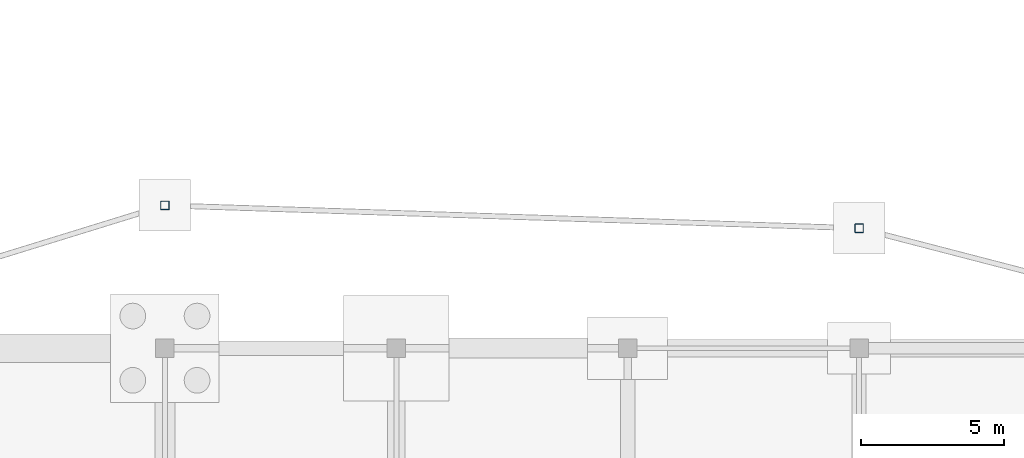
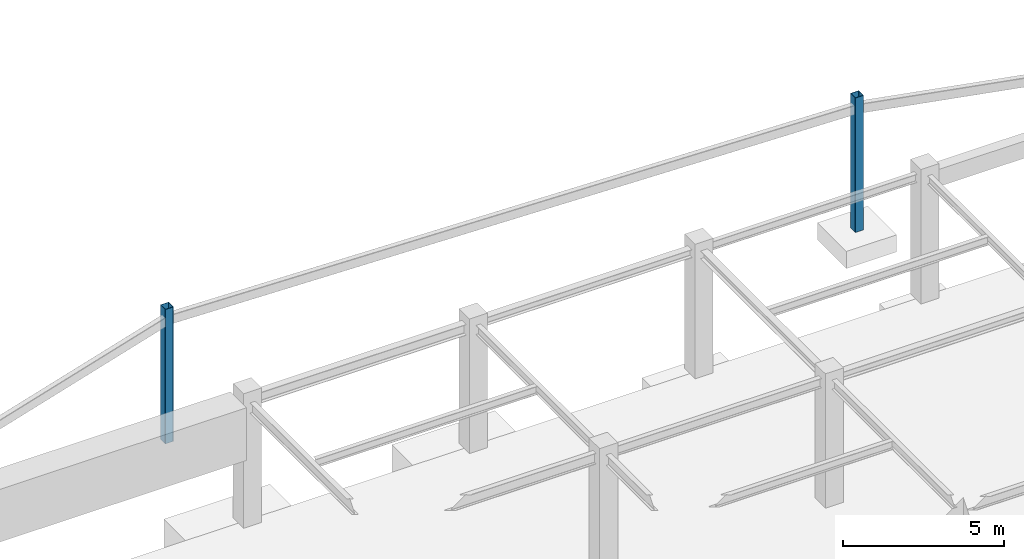
# One storey, part 22 of 67: 2 columns.
"""IFC4 building model written with IfcOpenShell, lengths in metres."""

from ifc_helpers import new_model, si_unit, direction, frame, origin, origin_2d, place, context, subcontext, project, spatial, hollow_rectangle, extrude, material, material_profile, profile_set, type_object, element, save


model = new_model("IFC4")

# Units and contexts
model_context = context("Model", 3, precision=1e-05, world=origin(), true_north=direction((0.0, 1.0)))
body_context = subcontext(model_context, "Body", "Model", "MODEL_VIEW")
ifc_project = project(units=[si_unit("LENGTHUNIT", "METRE"), si_unit("AREAUNIT", "SQUARE_METRE"), si_unit("VOLUMEUNIT", "CUBIC_METRE"), si_unit("PLANEANGLEUNIT", "RADIAN"), si_unit("MASSUNIT", "GRAM", prefix="KILO")], contexts=[model_context])

# Site, building, storey
site_placement = place(None, origin())
site = spatial("IfcSite", under=ifc_project, at=site_placement, CompositionType="ELEMENT")
building_placement = place(site_placement, origin())
building = spatial("IfcBuilding", under=site, at=building_placement, Name="Vaudrelin Polytechnic", CompositionType="ELEMENT")
storey_placement = place(building_placement, frame((0.0, 0.0, -5.10009765625)))
storey = spatial("IfcBuildingStorey", under=building, at=storey_placement, Name="B1", CompositionType="ELEMENT", Elevation=-5.10009765625)

# Columns
ifc_material = material(Name="Steel CSA G40.21 350WT", Category="steel")
ifc_material_profile = material_profile(ifc_material, hollow_rectangle(XDim=0.304931640625, YDim=0.304931640625, WallThickness=0.0126953125, InnerFilletRadius=0.0126953125, OuterFilletRadius=0.025390625, at=origin_2d()), Name="HSS305x305x12.7")
ifc_profile_set = profile_set([ifc_material_profile], Name="Steel CSA G40.21 350WT")
column_type = type_object("IfcColumnType", Name="COL-C-HSS305", PredefinedType="COLUMN", material=ifc_profile_set)
for number, where, z_axis, x_axis, name in (
    (1, (72.89990234375, 53.60009765625, 0.0), (0.0, 0.0, 1.0), (1.0, 0.0, 0.0), "Deconstructivist column B1 CT_OR1_1"),
    (2, (97.199951171875, 52.800048828125, 0.0), (0.0, 0.0, 1.0), (1.0, 0.0, 0.0), "Deconstructivist column B1 CT_OR1_2"),
):
    element("IfcColumn", number, at=place(storey_placement, frame(where, z_axis=z_axis, x_axis=x_axis)), inside=storey, type_object=column_type, Name=name, PredefinedType="COLUMN", context=body_context, shape_type="SweptSolid", body=[
        extrude(hollow_rectangle(XDim=0.304931640625, YDim=0.304931640625, WallThickness=0.0126953125, InnerFilletRadius=0.0126953125, OuterFilletRadius=0.025390625, at=origin_2d()), origin(), (0.0, 0.0, 1.0), 5.10009765625),
    ])

save(model, "model.ifc")
